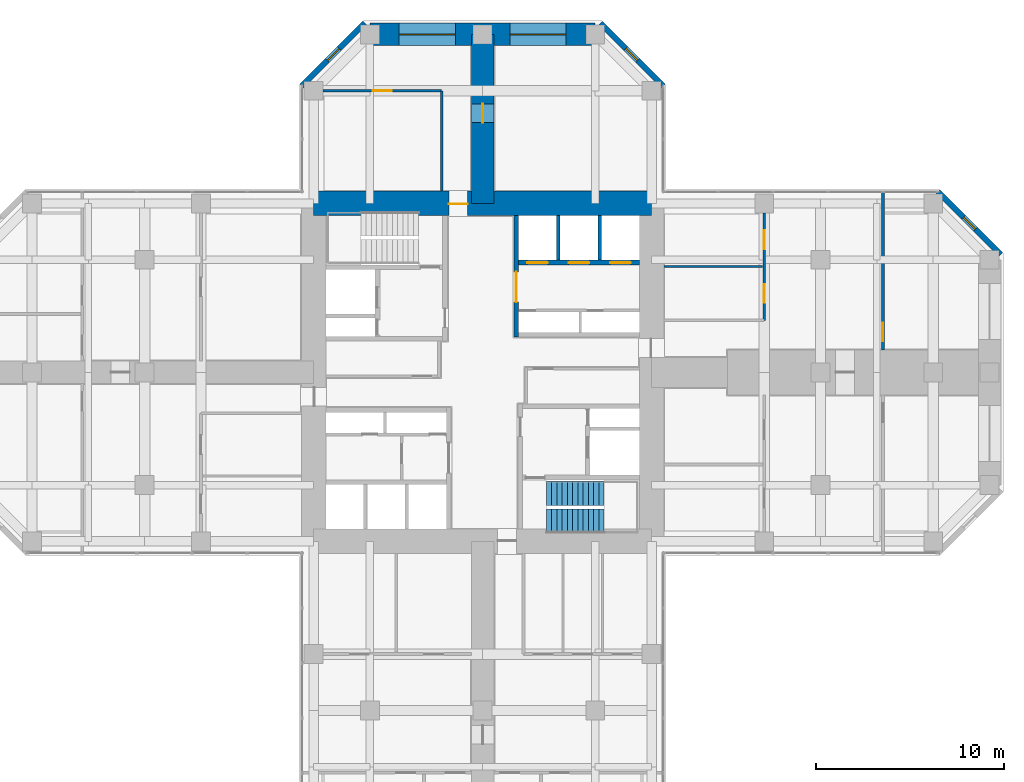
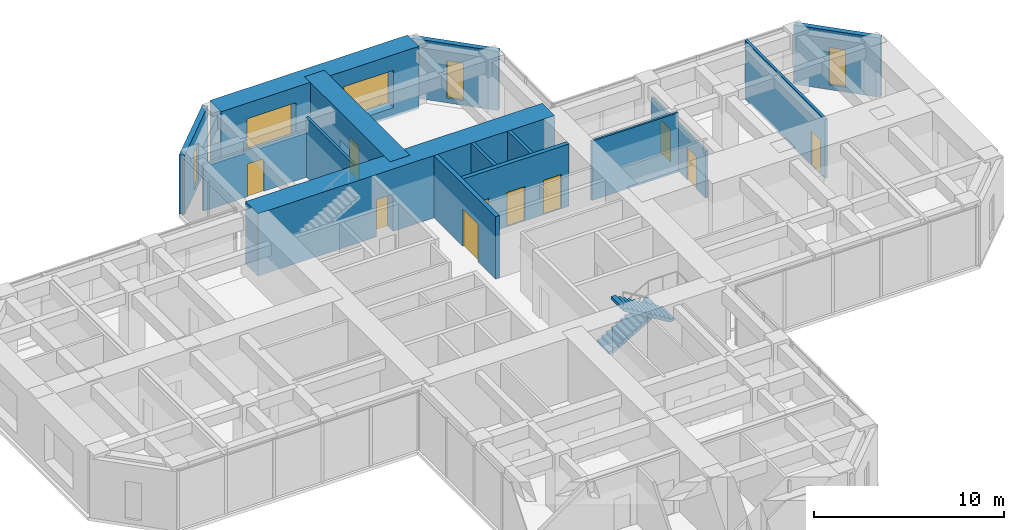
# One storey, part 11 of 13: 15 walls, 10 doors, 5 windows, 2 stair flights, 15 openings, 1 element without a shape of its own.
"""IFC4 building model written with IfcOpenShell, lengths in metres."""

from ifc_helpers import new_model, si_unit, direction, frame, frame_2d, origin, place, context, subcontext, project, spatial, polyline, rectangle, hollow_rectangle, outline, extrude, material, layer, layer_set, constituent, constituent_set, type_object, element, fill, aggregate, save


model = new_model("IFC4")

# Units and contexts
model_context = context("Model", 3, precision=1e-05, world=origin(), true_north=direction((0.0, 1.0)))
body_context = subcontext(model_context, "Body", "Model", "MODEL_VIEW")
ifc_project = project(units=[si_unit("LENGTHUNIT", "METRE"), si_unit("AREAUNIT", "SQUARE_METRE"), si_unit("VOLUMEUNIT", "CUBIC_METRE"), si_unit("PLANEANGLEUNIT", "RADIAN"), si_unit("MASSUNIT", "GRAM", prefix="KILO")], contexts=[model_context])

# Site, building, storey
site_placement = place(None, origin())
site = spatial("IfcSite", under=ifc_project, at=site_placement, CompositionType="ELEMENT")
building_placement = place(site_placement, origin())
building = spatial("IfcBuilding", under=site, at=building_placement, Name="Torre Cruceta", CompositionType="ELEMENT")
storey_placement = place(building_placement, frame((0.0, 0.0, 152.5)))
storey = spatial("IfcBuildingStorey", under=building, at=storey_placement, Name="L37", CompositionType="ELEMENT", Elevation=152.5)

# Wall, opening, door
ifc_material_1 = material(Name="Concrete G60 (fck 60 MPa)", Category="concrete")
ifc_layer_1 = layer(ifc_material_1, 0.25)
ifc_layer_set_1 = layer_set([ifc_layer_1], Name="Concrete G60 (fck 60 MPa)")
wall_type_1 = type_object("IfcWallType", Name="CORE INNER WALL 250 G60", PredefinedType="SHEAR", material=ifc_layer_set_1)
wall_1_placement = place(storey_placement, frame((1.800048828125, 1.875, 0.0), z_axis=(0.0, 0.0, 1.0), x_axis=(0.0, 1.0, 0.0)))
wall_1 = element("IfcWall", 1, at=wall_1_placement, inside=storey, type_object=wall_type_1, Name="CW4 L37 NE-CU", PredefinedType="SHEAR", context=body_context, shape_type="SweptSolid", body=[
    extrude(rectangle(XDim=6.47509765625, YDim=0.25, at=frame_2d((3.237548828125, 0.0))), origin(), (0.0, 0.0, 1.0), 4.0),
])
opening_1_placement = place(wall_1_placement, frame((1.875, 0.0, 0.0)))
opening_1 = element("IfcOpeningElement", 2, at=opening_1_placement, cuts=wall_1, Name="Opening D8", PredefinedType="OPENING", context=body_context, shape_type="SweptSolid", body=[
    extrude(rectangle(XDim=1.60009765625, YDim=2.39990234375, at=frame_2d((0.800048828125, 1.199951171875))), frame((0.0, 0.135009765625, 0.0), z_axis=(0.0, -1.0, 0.0), x_axis=(1.0, 0.0, 0.0)), (0.0, 0.0, 1.0), 0.27001953125),
])
ifc_material_2 = material(Name="Steel DX51D", Category="steel")
ifc_constituent_1 = constituent(ifc_material_2, Name="Leaf and frame")
ifc_material_3 = material(Name="Polyester powder coating", Category="paint")
ifc_constituent_2 = constituent(ifc_material_3, Name="Finish")
ifc_material_4 = material(Name="Fire-resisting glass", Category="glass")
ifc_constituent_3 = constituent(ifc_material_4, Name="Vision panel")
ifc_constituent_set_1 = constituent_set(constituents=[ifc_constituent_1, ifc_constituent_2, ifc_constituent_3], Name="Steel fire door with vision panels")
door_type_1 = type_object("IfcDoorType", Name="LIFT LOBBY DOUBLE DOOR 1600X2400", OperationType="DOUBLE_DOOR_DOUBLE_SWING", PredefinedType="DOOR", material=ifc_constituent_set_1)
door_1_placement = place(opening_1_placement, origin())
door_1 = element("IfcDoor", 3, at=door_1_placement, inside=storey, type_object=door_type_1, Name="D8 L37 NE-LOBBY", OperationType="DOUBLE_DOOR_DOUBLE_SWING", OverallHeight=2.39990234375, OverallWidth=1.60009765625, PredefinedType="DOOR", context=body_context, shape_type="SweptSolid", body=[
    extrude(rectangle(XDim=1.60009765625, YDim=2.39990234375, at=frame_2d((0.800048828125, 1.199951171875))), frame((0.0, 0.02490234375, 0.0), z_axis=(0.0, -1.0, 0.0), x_axis=(1.0, 0.0, 0.0)), (0.0, 0.0, 1.0), 0.050048828125),
])
fill(opening_1, door_1)

# Wall, openings, doors
wall_2_placement = place(storey_placement, frame((1.925048828125, 5.85009765625, 0.0), z_axis=(0.0, 0.0, 1.0), x_axis=(1.0, 0.0, 0.0)))
wall_2 = element("IfcWall", 4, at=wall_2_placement, inside=storey, type_object=wall_type_1, Name="CW4 L37 NE-LV", PredefinedType="SHEAR", context=body_context, shape_type="SweptSolid", body=[
    extrude(rectangle(XDim=6.425048828125, YDim=0.25, at=frame_2d((3.21240234375, 0.0))), origin(), (0.0, 0.0, 1.0), 4.0),
])
opening_2_placement = place(wall_2_placement, frame((0.4541015625, 0.0, 0.0)))
opening_2 = element("IfcOpeningElement", 5, at=opening_2_placement, cuts=wall_2, Name="Opening LD1", PredefinedType="OPENING", context=body_context, shape_type="SweptSolid", body=[
    extrude(rectangle(XDim=1.10009765625, YDim=2.199951171875, at=frame_2d((0.550048828125, 1.10009765625))), frame((0.0, 0.135009765625, 0.0), z_axis=(0.0, -1.0, 0.0), x_axis=(1.0, 0.0, 0.0)), (0.0, 0.0, 1.0), 0.27001953125),
])
opening_3_placement = place(wall_2_placement, frame((2.66259765625, 0.0, 0.0)))
opening_3 = element("IfcOpeningElement", 6, at=opening_3_placement, cuts=wall_2, Name="Opening LD1", PredefinedType="OPENING", context=body_context, shape_type="SweptSolid", body=[
    extrude(rectangle(XDim=1.10009765625, YDim=2.199951171875, at=frame_2d((0.550048828125, 1.10009765625))), frame((0.0, 0.135009765625, 0.0), z_axis=(0.0, -1.0, 0.0), x_axis=(1.0, 0.0, 0.0)), (0.0, 0.0, 1.0), 0.27001953125),
])
opening_4_placement = place(wall_2_placement, frame((4.870849609375, 0.0, 0.0)))
opening_4 = element("IfcOpeningElement", 7, at=opening_4_placement, cuts=wall_2, Name="Opening LD1", PredefinedType="OPENING", context=body_context, shape_type="SweptSolid", body=[
    extrude(rectangle(XDim=1.10009765625, YDim=2.199951171875, at=frame_2d((0.550048828125, 1.10009765625))), frame((0.0, 0.135009765625, 0.0), z_axis=(0.0, -1.0, 0.0), x_axis=(1.0, 0.0, 0.0)), (0.0, 0.0, 1.0), 0.27001953125),
])
ifc_material_5 = material(Name="Stainless steel 1.4401", Category="steel")
door_type_2 = type_object("IfcDoorType", Name="LIFT LANDING DOOR 1100X2200", OperationType="DOUBLE_DOOR_SLIDING", PredefinedType="DOOR", material=ifc_material_5)
door_2_placement = place(opening_2_placement, origin())
door_2 = element("IfcDoor", 8, at=door_2_placement, inside=storey, type_object=door_type_2, Name="Lift landing door P1", OperationType="DOUBLE_DOOR_SLIDING", OverallHeight=2.199951171875, OverallWidth=1.10009765625, PredefinedType="DOOR", context=body_context, shape_type="SweptSolid", body=[
    extrude(rectangle(XDim=1.10009765625, YDim=2.199951171875, at=frame_2d((0.550048828125, 1.10009765625))), frame((0.0, 0.02490234375, 0.0), z_axis=(0.0, -1.0, 0.0), x_axis=(1.0, 0.0, 0.0)), (0.0, 0.0, 1.0), 0.050048828125),
])
fill(opening_2, door_2)
door_3_placement = place(opening_3_placement, origin())
door_3 = element("IfcDoor", 9, at=door_3_placement, inside=storey, type_object=door_type_2, Name="Lift landing door P2", OperationType="DOUBLE_DOOR_SLIDING", OverallHeight=2.199951171875, OverallWidth=1.10009765625, PredefinedType="DOOR", context=body_context, shape_type="SweptSolid", body=[
    extrude(rectangle(XDim=1.10009765625, YDim=2.199951171875, at=frame_2d((0.550048828125, 1.10009765625))), frame((0.0, 0.02490234375, 0.0), z_axis=(0.0, -1.0, 0.0), x_axis=(1.0, 0.0, 0.0)), (0.0, 0.0, 1.0), 0.050048828125),
])
fill(opening_3, door_3)
door_4_placement = place(opening_4_placement, origin())
door_4 = element("IfcDoor", 10, at=door_4_placement, inside=storey, type_object=door_type_2, Name="Lift landing door P3", OperationType="DOUBLE_DOOR_SLIDING", OverallHeight=2.199951171875, OverallWidth=1.10009765625, PredefinedType="DOOR", context=body_context, shape_type="SweptSolid", body=[
    extrude(rectangle(XDim=1.10009765625, YDim=2.199951171875, at=frame_2d((0.550048828125, 1.10009765625))), frame((0.0, 0.02490234375, 0.0), z_axis=(0.0, -1.0, 0.0), x_axis=(1.0, 0.0, 0.0)), (0.0, 0.0, 1.0), 0.050048828125),
])
fill(opening_4, door_4)

# Wall, opening, door
ifc_material_6 = material(Name="Concrete G60 (fck 60 MPa)", Category="concrete")
ifc_layer_2 = layer(ifc_material_6, 1.300048828125)
ifc_layer_set_2 = layer_set([ifc_layer_2], Name="Concrete G60 (fck 60 MPa)")
wall_type_2 = type_object("IfcWallType", Name="CORE WALL 1300 G60", PredefinedType="SHEAR", material=ifc_layer_set_2)
wall_3_placement = place(storey_placement, frame((9.0, 9.0, 0.0), z_axis=(0.0, 0.0, 1.0), x_axis=(-1.0, 0.0, 0.0)))
wall_3 = element("IfcWall", 11, at=wall_3_placement, inside=storey, type_object=wall_type_2, Name="CW1 L37 CW-N", PredefinedType="SHEAR", context=body_context, shape_type="SweptSolid", body=[
    extrude(rectangle(XDim=18.0, YDim=1.300048828125, at=frame_2d((9.0, 0.0))), origin(), (0.0, 0.0, 1.0), 4.0),
])
opening_5_placement = place(wall_3_placement, frame((9.800048828125, 0.0, 0.0)))
opening_5 = element("IfcOpeningElement", 12, at=opening_5_placement, cuts=wall_3, Name="Opening D4", PredefinedType="OPENING", context=body_context, shape_type="SweptSolid", body=[
    extrude(rectangle(XDim=1.0, YDim=2.39990234375, at=frame_2d((0.5, 1.199951171875))), frame((0.0, 0.659912109375, 0.0), z_axis=(0.0, -1.0, 0.0), x_axis=(1.0, 0.0, 0.0)), (0.0, 0.0, 1.0), 1.320068359375),
])
ifc_material_7 = material(Name="Steel DX51D", Category="steel")
ifc_constituent_4 = constituent(ifc_material_7, Name="Leaf and frame")
ifc_material_8 = material(Name="Polyester powder coating", Category="paint")
ifc_constituent_5 = constituent(ifc_material_8, Name="Finish")
ifc_constituent_set_2 = constituent_set(constituents=[ifc_constituent_4, ifc_constituent_5], Name="Steel fire door")
door_type_3 = type_object("IfcDoorType", Name="CORE ARM DOOR 1000X2400", OperationType="SINGLE_SWING_RIGHT", PredefinedType="DOOR", material=ifc_constituent_set_2)
door_5_placement = place(opening_5_placement, frame((1.0, 0.0, 0.0), z_axis=(0.0, 0.0, 1.0), x_axis=(-1.0, 0.0, 0.0)))
door_5 = element("IfcDoor", 13, at=door_5_placement, inside=storey, type_object=door_type_3, Name="D4 L37 CW-N", OperationType="SINGLE_SWING_RIGHT", OverallHeight=2.39990234375, OverallWidth=1.0, PredefinedType="DOOR", context=body_context, shape_type="SweptSolid", body=[
    extrude(rectangle(XDim=1.0, YDim=2.39990234375, at=frame_2d((0.5, 1.199951171875))), frame((0.0, -0.005126953125, 0.0), z_axis=(0.0, -1.0, 0.0), x_axis=(1.0, 0.0, 0.0)), (0.0, 0.0, 1.0), 0.050048828125),
])
fill(opening_5, door_5)

# Wall, opening, window
ifc_material_9 = material(Name="Concrete G30 (fck 30 MPa)", Category="concrete")
ifc_layer_3 = layer(ifc_material_9, 0.300048828125)
ifc_layer_set_3 = layer_set([ifc_layer_3], Name="Concrete G30 (fck 30 MPa)")
wall_type_3 = type_object("IfcWallType", Name="EXPOSED CONCRETE FACADE WALL 300", PredefinedType="SOLIDWALL", material=ifc_layer_set_3)
wall_4_placement = place(storey_placement, frame((27.60009765625, 6.27685546875, 0.0), z_axis=(0.0, 0.0, 1.0), x_axis=(-0.707106781187, 0.707106781187, 0.0)))
wall_4 = element("IfcWall", 14, at=wall_4_placement, inside=storey, type_object=wall_type_3, Name="EW1 facade wall L37 E chamfer 03", PredefinedType="SOLIDWALL", context=body_context, shape_type="SweptSolid", body=[
    extrude(rectangle(XDim=4.72802734375, YDim=0.300048828125, at=frame_2d((2.364013671875, 0.0))), origin(), (0.0, 0.0, 1.0), 3.800048828125),
])
opening_6_placement = place(wall_4_placement, frame((1.9140625, 0.0, 0.300048828125)))
opening_6 = element("IfcOpeningElement", 15, at=opening_6_placement, cuts=wall_4, Name="Opening WN5", PredefinedType="OPENING", context=body_context, shape_type="SweptSolid", body=[
    extrude(rectangle(XDim=0.89990234375, YDim=2.39990234375, at=frame_2d((0.449951171875, 1.199951171875))), frame((0.0, 0.159912109375, 0.0), z_axis=(0.0, -1.0, 0.0), x_axis=(1.0, 0.0, 0.0)), (0.0, 0.0, 1.0), 0.320068359375),
])
ifc_material_10 = material(Name="Aluminium window frame", Category="aluminium")
ifc_constituent_6 = constituent(ifc_material_10, Name="Frame")
ifc_material_11 = material(Name="Laminated insulating glass unit, low-iron clear", Category="glass")
ifc_constituent_7 = constituent(ifc_material_11, Name="Glazing")
ifc_constituent_set_3 = constituent_set(constituents=[ifc_constituent_6, ifc_constituent_7], Name="Aluminium window")
window_type_1 = type_object("IfcWindowType", Name="CHAMFER SLOT WINDOW 900X2400", PartitioningType="SINGLE_PANEL", PredefinedType="WINDOW", material=ifc_constituent_set_3)
window_1_placement = place(opening_6_placement, origin())
window_1 = element("IfcWindow", 16, at=window_1_placement, inside=storey, type_object=window_type_1, Name="WN5 L37 E 1", OverallHeight=2.39990234375, OverallWidth=0.89990234375, PartitioningType="SINGLE_PANEL", PredefinedType="WINDOW", context=body_context, shape_type="SweptSolid", body=[
    extrude(hollow_rectangle(XDim=0.89990234375, YDim=2.39990234375, WallThickness=0.06005859375, at=frame_2d((0.449951171875, 1.199951171875))), frame((0.0, 0.030029296875, 0.0), z_axis=(0.0, -1.0, 0.0), x_axis=(1.0, 0.0, 0.0)), (0.0, 0.0, 1.0), 0.06005859375),
    extrude(rectangle(XDim=0.77880859375, YDim=2.27880859375, at=frame_2d((0.449951171875, 1.199951171875))), frame((0.0, 0.030029296875, 0.0), z_axis=(0.0, -1.0, 0.0), x_axis=(1.0, 0.0, 0.0)), (0.0, 0.0, 1.0), 0.06005859375),
])
fill(opening_6, window_1)

wall_5_placement = place(storey_placement, frame((9.6201171875, 15.2568359375, 0.0), z_axis=(0.0, 0.0, 1.0), x_axis=(-0.707106781187, 0.707106781187, 0.0)))
wall_5 = element("IfcWall", 17, at=wall_5_placement, inside=storey, type_object=wall_type_3, Name="EW1 facade wall L37 N chamfer 06", PredefinedType="SOLIDWALL", context=body_context, shape_type="SweptSolid", body=[
    extrude(rectangle(XDim=4.72802734375, YDim=0.300048828125, at=frame_2d((2.364013671875, 0.0))), origin(), (0.0, 0.0, 1.0), 3.800048828125),
])
opening_7_placement = place(wall_5_placement, frame((1.9140625, 0.0, 0.300048828125)))
opening_7 = element("IfcOpeningElement", 18, at=opening_7_placement, cuts=wall_5, Name="Opening WN5", PredefinedType="OPENING", context=body_context, shape_type="SweptSolid", body=[
    extrude(rectangle(XDim=0.89990234375, YDim=2.39990234375, at=frame_2d((0.449951171875, 1.199951171875))), frame((0.0, 0.159912109375, 0.0), z_axis=(0.0, -1.0, 0.0), x_axis=(1.0, 0.0, 0.0)), (0.0, 0.0, 1.0), 0.320068359375),
])
window_2_placement = place(opening_7_placement, origin())
window_2 = element("IfcWindow", 19, at=window_2_placement, inside=storey, type_object=window_type_1, Name="WN5 L37 N 1", OverallHeight=2.39990234375, OverallWidth=0.89990234375, PartitioningType="SINGLE_PANEL", PredefinedType="WINDOW", context=body_context, shape_type="SweptSolid", body=[
    extrude(hollow_rectangle(XDim=0.89990234375, YDim=2.39990234375, WallThickness=0.06005859375, at=frame_2d((0.449951171875, 1.199951171875))), frame((0.0, 0.030029296875, 0.0), z_axis=(0.0, -1.0, 0.0), x_axis=(1.0, 0.0, 0.0)), (0.0, 0.0, 1.0), 0.06005859375),
    extrude(rectangle(XDim=0.77880859375, YDim=2.27880859375, at=frame_2d((0.449951171875, 1.199951171875))), frame((0.0, 0.030029296875, 0.0), z_axis=(0.0, -1.0, 0.0), x_axis=(1.0, 0.0, 0.0)), (0.0, 0.0, 1.0), 0.06005859375),
])
fill(opening_7, window_2)

wall_6_placement = place(storey_placement, frame((-6.27685546875, 18.60009765625, 0.0), z_axis=(0.0, 0.0, 1.0), x_axis=(-0.707106781187, -0.707106781187, 0.0)))
wall_6 = element("IfcWall", 20, at=wall_6_placement, inside=storey, type_object=wall_type_3, Name="EW1 facade wall L37 N chamfer 08", PredefinedType="SOLIDWALL", context=body_context, shape_type="SweptSolid", body=[
    extrude(rectangle(XDim=4.72802734375, YDim=0.300048828125, at=frame_2d((2.364013671875, 0.0))), origin(), (0.0, 0.0, 1.0), 3.800048828125),
])
opening_8_placement = place(wall_6_placement, frame((1.9140625, 0.0, 0.300048828125)))
opening_8 = element("IfcOpeningElement", 21, at=opening_8_placement, cuts=wall_6, Name="Opening WN5", PredefinedType="OPENING", context=body_context, shape_type="SweptSolid", body=[
    extrude(rectangle(XDim=0.89990234375, YDim=2.39990234375, at=frame_2d((0.449951171875, 1.199951171875))), frame((0.0, 0.159912109375, 0.0), z_axis=(0.0, -1.0, 0.0), x_axis=(1.0, 0.0, 0.0)), (0.0, 0.0, 1.0), 0.320068359375),
])
window_3_placement = place(opening_8_placement, origin())
window_3 = element("IfcWindow", 22, at=window_3_placement, inside=storey, type_object=window_type_1, Name="WN5 L37 N 1", OverallHeight=2.39990234375, OverallWidth=0.89990234375, PartitioningType="SINGLE_PANEL", PredefinedType="WINDOW", context=body_context, shape_type="SweptSolid", body=[
    extrude(hollow_rectangle(XDim=0.89990234375, YDim=2.39990234375, WallThickness=0.06005859375, at=frame_2d((0.449951171875, 1.199951171875))), frame((0.0, 0.030029296875, 0.0), z_axis=(0.0, -1.0, 0.0), x_axis=(1.0, 0.0, 0.0)), (0.0, 0.0, 1.0), 0.06005859375),
    extrude(rectangle(XDim=0.77880859375, YDim=2.27880859375, at=frame_2d((0.449951171875, 1.199951171875))), frame((0.0, 0.030029296875, 0.0), z_axis=(0.0, -1.0, 0.0), x_axis=(1.0, 0.0, 0.0)), (0.0, 0.0, 1.0), 0.06005859375),
])
fill(opening_8, window_3)

# Walls
ifc_material_12 = material(Name="Concrete G35 (fck 35 MPa)", Category="concrete")
ifc_layer_4 = layer(ifc_material_12, 0.199951171875)
ifc_layer_set_4 = layer_set([ifc_layer_4], Name="Concrete G35 (fck 35 MPa)")
wall_type_4 = type_object("IfcWallType", Name="LIFT SHAFT WALL 200", PredefinedType="PARTITIONING", material=ifc_layer_set_4)
for number, where, z_axis, x_axis, name in (
    (23, (4.033447265625, 5.97509765625, 0.0), (0.0, 0.0, 1.0), (0.0, 1.0, 0.0), "SW1 L37 NE-LS1"),
    (24, (6.24169921875, 5.97509765625, 0.0), (0.0, 0.0, 1.0), (0.0, 1.0, 0.0), "SW1 L37 NE-LS2"),
):
    element("IfcWall", number, at=place(storey_placement, frame(where, z_axis=z_axis, x_axis=x_axis)), inside=storey, type_object=wall_type_4, Name=name, PredefinedType="PARTITIONING", context=body_context, shape_type="SweptSolid", body=[
        extrude(rectangle(XDim=2.375, YDim=0.199951171875, at=frame_2d((1.1875, 0.0))), origin(), (0.0, 0.0, 1.0), 4.0),
    ])

# Wall, openings, windows
ifc_material_13 = material(Name="Concrete G60 (fck 60 MPa)", Category="concrete")
ifc_layer_5 = layer(ifc_material_13, 1.199951171875)
ifc_layer_set_5 = layer_set([ifc_layer_5], Name="Concrete G60 (fck 60 MPa)")
wall_type_5 = type_object("IfcWallType", Name="NOSE WALL 1200 G60", PredefinedType="SHEAR", material=ifc_layer_set_5)
wall_7_placement = place(storey_placement, frame((6.0, 18.0, 0.0), z_axis=(0.0, 0.0, 1.0), x_axis=(-1.0, 0.0, 0.0)))
wall_7 = element("IfcWall", 25, at=wall_7_placement, inside=storey, type_object=wall_type_5, Name="NW1 nose wall L37 N", PredefinedType="SHEAR", context=body_context, shape_type="SweptSolid", body=[
    extrude(rectangle(XDim=12.0, YDim=1.199951171875, at=frame_2d((6.0, 0.0))), origin(), (0.0, 0.0, 1.0), 4.0),
])
opening_9_placement = place(wall_7_placement, frame((1.550048828125, 0.0, 0.60009765625)))
opening_9 = element("IfcOpeningElement", 26, at=opening_9_placement, cuts=wall_7, Name="Opening WN6", PredefinedType="OPENING", context=body_context, shape_type="SweptSolid", body=[
    extrude(rectangle(XDim=3.0, YDim=2.39990234375, at=frame_2d((1.5, 1.199951171875))), frame((0.0, 0.60986328125, 0.0), z_axis=(0.0, -1.0, 0.0), x_axis=(1.0, 0.0, 0.0)), (0.0, 0.0, 1.0), 1.219970703125),
])
opening_10_placement = place(wall_7_placement, frame((7.449951171875, 0.0, 0.60009765625)))
opening_10 = element("IfcOpeningElement", 27, at=opening_10_placement, cuts=wall_7, Name="Opening WN6", PredefinedType="OPENING", context=body_context, shape_type="SweptSolid", body=[
    extrude(rectangle(XDim=3.0, YDim=2.39990234375, at=frame_2d((1.5, 1.199951171875))), frame((0.0, 0.60986328125, 0.0), z_axis=(0.0, -1.0, 0.0), x_axis=(1.0, 0.0, 0.0)), (0.0, 0.0, 1.0), 1.219970703125),
])
ifc_material_14 = material(Name="Aluminium window frame", Category="aluminium")
ifc_constituent_8 = constituent(ifc_material_14, Name="Frame")
ifc_material_15 = material(Name="Laminated insulating glass unit, low-iron clear", Category="glass")
ifc_constituent_9 = constituent(ifc_material_15, Name="Glazing")
ifc_constituent_set_4 = constituent_set(constituents=[ifc_constituent_8, ifc_constituent_9], Name="Aluminium window")
window_type_2 = type_object("IfcWindowType", Name="NOSE WALL WINDOW 3000X2400", PartitioningType="SINGLE_PANEL", PredefinedType="WINDOW", material=ifc_constituent_set_4)
window_4_placement = place(opening_9_placement, origin())
window_4 = element("IfcWindow", 28, at=window_4_placement, inside=storey, type_object=window_type_2, Name="WN6 L37 N 1", OverallHeight=2.39990234375, OverallWidth=3.0, PartitioningType="SINGLE_PANEL", PredefinedType="WINDOW", context=body_context, shape_type="SweptSolid", body=[
    extrude(hollow_rectangle(XDim=3.0, YDim=2.39990234375, WallThickness=0.06005859375, at=frame_2d((1.5, 1.199951171875))), frame((0.0, 0.030029296875, 0.0), z_axis=(0.0, -1.0, 0.0), x_axis=(1.0, 0.0, 0.0)), (0.0, 0.0, 1.0), 0.06005859375),
    extrude(rectangle(XDim=2.87890625, YDim=2.27880859375, at=frame_2d((1.5, 1.199951171875))), frame((0.0, 0.030029296875, 0.0), z_axis=(0.0, -1.0, 0.0), x_axis=(1.0, 0.0, 0.0)), (0.0, 0.0, 1.0), 0.06005859375),
])
fill(opening_9, window_4)
window_5_placement = place(opening_10_placement, origin())
window_5 = element("IfcWindow", 29, at=window_5_placement, inside=storey, type_object=window_type_2, Name="WN6 L37 N 2", OverallHeight=2.39990234375, OverallWidth=3.0, PartitioningType="SINGLE_PANEL", PredefinedType="WINDOW", context=body_context, shape_type="SweptSolid", body=[
    extrude(hollow_rectangle(XDim=3.0, YDim=2.39990234375, WallThickness=0.06005859375, at=frame_2d((1.5, 1.199951171875))), frame((0.0, 0.030029296875, 0.0), z_axis=(0.0, -1.0, 0.0), x_axis=(1.0, 0.0, 0.0)), (0.0, 0.0, 1.0), 0.06005859375),
    extrude(rectangle(XDim=2.87890625, YDim=2.27880859375, at=frame_2d((1.5, 1.199951171875))), frame((0.0, 0.030029296875, 0.0), z_axis=(0.0, -1.0, 0.0), x_axis=(1.0, 0.0, 0.0)), (0.0, 0.0, 1.0), 0.06005859375),
])
fill(opening_10, window_5)

# Wall, opening, door
ifc_material_16 = material(Name="Plasterboard on steel studs", Category="steel")
ifc_layer_6 = layer(ifc_material_16, 0.14990234375)
ifc_layer_set_6 = layer_set([ifc_layer_6], Name="Plasterboard on steel studs")
wall_type_6 = type_object("IfcWallType", Name="PARTITION 150", PredefinedType="PARTITIONING", material=ifc_layer_set_6)
wall_8_placement = place(storey_placement, frame((-2.175048828125, 15.0, 0.0), z_axis=(0.0, 0.0, 1.0), x_axis=(-1.0, 0.0, 0.0)))
wall_8 = element("IfcWall", 30, at=wall_8_placement, inside=storey, type_object=wall_type_6, Name="PT1 L37-N-BFL", PredefinedType="PARTITIONING", context=body_context, shape_type="SweptSolid", body=[
    extrude(rectangle(XDim=6.324951171875, YDim=0.14990234375, at=frame_2d((3.16259765625, 0.0))), origin(), (0.0, 0.0, 1.0), 3.0),
])
opening_11_placement = place(wall_8_placement, frame((2.66259765625, 0.0, 0.0)))
opening_11 = element("IfcOpeningElement", 31, at=opening_11_placement, cuts=wall_8, Name="Opening D3", PredefinedType="OPENING", context=body_context, shape_type="SweptSolid", body=[
    extrude(rectangle(XDim=1.0, YDim=2.10009765625, at=frame_2d((0.5, 1.050048828125))), frame((0.0, 0.0849609375, 0.0), z_axis=(0.0, -1.0, 0.0), x_axis=(1.0, 0.0, 0.0)), (0.0, 0.0, 1.0), 0.169921875),
])
ifc_material_17 = material(Name="Steel DX51D", Category="steel")
ifc_constituent_10 = constituent(ifc_material_17, Name="Leaf and frame")
ifc_material_18 = material(Name="Polyester powder coating", Category="paint")
ifc_constituent_11 = constituent(ifc_material_18, Name="Finish")
ifc_constituent_set_5 = constituent_set(constituents=[ifc_constituent_10, ifc_constituent_11], Name="Steel fire door")
door_type_4 = type_object("IfcDoorType", Name="FIRE DOOR 1000X2100", OperationType="SINGLE_SWING_LEFT", PredefinedType="DOOR", material=ifc_constituent_set_5)
door_6_placement = place(opening_11_placement, frame((1.0, 0.0, 0.0), z_axis=(0.0, 0.0, 1.0), x_axis=(-1.0, 0.0, 0.0)))
door_6 = element("IfcDoor", 32, at=door_6_placement, inside=storey, type_object=door_type_4, Name="D3 L37-N-BFL-D1", OperationType="SINGLE_SWING_LEFT", OverallHeight=2.10009765625, OverallWidth=1.0, PredefinedType="DOOR", context=body_context, shape_type="SweptSolid", body=[
    extrude(rectangle(XDim=1.0, YDim=2.10009765625, at=frame_2d((0.5, 1.050048828125))), frame((0.0, 0.025146484375, 0.0), z_axis=(0.0, -1.0, 0.0), x_axis=(1.0, 0.0, 0.0)), (0.0, 0.0, 1.0), 0.050048828125),
])
fill(opening_11, door_6)

# Wall
wall_9_placement = place(storey_placement, frame((-2.175048828125, 9.64990234375, 0.0), z_axis=(0.0, 0.0, 1.0), x_axis=(0.0, 1.0, 0.0)))
element("IfcWall", 33, at=wall_9_placement, inside=storey, type_object=wall_type_6, Name="PT1 L37-N-BSL", PredefinedType="PARTITIONING", context=body_context, shape_type="SweptSolid", body=[
    extrude(rectangle(XDim=5.35009765625, YDim=0.14990234375, at=frame_2d((2.675048828125, 0.0))), origin(), (0.0, 0.0, 1.0), 3.800048828125),
])

# Wall, openings, doors
wall_10_placement = place(storey_placement, frame((15.0, 2.77490234375, 0.0), z_axis=(0.0, 0.0, 1.0), x_axis=(0.0, 1.0, 0.0)))
wall_10 = element("IfcWall", 34, at=wall_10_placement, inside=storey, type_object=wall_type_6, Name="PT1 L37-E-BFL", PredefinedType="PARTITIONING", context=body_context, shape_type="SweptSolid", body=[
    extrude(rectangle(XDim=5.72509765625, YDim=0.14990234375, at=frame_2d((2.862548828125, 0.0))), origin(), (0.0, 0.0, 1.0), 3.0),
])
opening_12_placement = place(wall_10_placement, frame((0.931396484375, 0.0, 0.0)))
opening_12 = element("IfcOpeningElement", 35, at=opening_12_placement, cuts=wall_10, Name="Opening D3", PredefinedType="OPENING", context=body_context, shape_type="SweptSolid", body=[
    extrude(rectangle(XDim=1.0, YDim=2.10009765625, at=frame_2d((0.5, 1.050048828125))), frame((0.0, 0.0849609375, 0.0), z_axis=(0.0, -1.0, 0.0), x_axis=(1.0, 0.0, 0.0)), (0.0, 0.0, 1.0), 0.169921875),
])
opening_13_placement = place(wall_10_placement, frame((3.793701171875, 0.0, 0.0)))
opening_13 = element("IfcOpeningElement", 36, at=opening_13_placement, cuts=wall_10, Name="Opening D3", PredefinedType="OPENING", context=body_context, shape_type="SweptSolid", body=[
    extrude(rectangle(XDim=1.0, YDim=2.10009765625, at=frame_2d((0.5, 1.050048828125))), frame((0.0, 0.0849609375, 0.0), z_axis=(0.0, -1.0, 0.0), x_axis=(1.0, 0.0, 0.0)), (0.0, 0.0, 1.0), 0.169921875),
])
door_7_placement = place(opening_12_placement, origin())
door_7 = element("IfcDoor", 37, at=door_7_placement, inside=storey, type_object=door_type_4, Name="D3 L37-E-BFL-D1", OperationType="SINGLE_SWING_LEFT", OverallHeight=2.10009765625, OverallWidth=1.0, PredefinedType="DOOR", context=body_context, shape_type="SweptSolid", body=[
    extrude(rectangle(XDim=1.0, YDim=2.10009765625, at=frame_2d((0.5, 1.050048828125))), frame((0.0, 0.02490234375, 0.0), z_axis=(0.0, -1.0, 0.0), x_axis=(1.0, 0.0, 0.0)), (0.0, 0.0, 1.0), 0.050048828125),
])
fill(opening_12, door_7)
door_8_placement = place(opening_13_placement, origin())
door_8 = element("IfcDoor", 38, at=door_8_placement, inside=storey, type_object=door_type_4, Name="D3 L37-E-BFL-D2", OperationType="SINGLE_SWING_LEFT", OverallHeight=2.10009765625, OverallWidth=1.0, PredefinedType="DOOR", context=body_context, shape_type="SweptSolid", body=[
    extrude(rectangle(XDim=1.0, YDim=2.10009765625, at=frame_2d((0.5, 1.050048828125))), frame((0.0, 0.02490234375, 0.0), z_axis=(0.0, -1.0, 0.0), x_axis=(1.0, 0.0, 0.0)), (0.0, 0.0, 1.0), 0.050048828125),
])
fill(opening_13, door_8)

# Wall, opening, door
wall_11_placement = place(storey_placement, frame((21.320068359375, 1.199951171875, 0.0), z_axis=(0.0, 0.0, 1.0), x_axis=(0.0, 1.0, 0.0)))
wall_11 = element("IfcWall", 39, at=wall_11_placement, inside=storey, type_object=wall_type_6, Name="PT1 L37-E-TWL", PredefinedType="PARTITIONING", context=body_context, shape_type="SweptSolid", body=[
    extrude(rectangle(XDim=8.380126953125, YDim=0.14990234375, at=frame_2d((4.18994140625, 0.0))), origin(), (0.0, 0.0, 1.0), 3.800048828125),
])
opening_14_placement = place(wall_11_placement, frame((0.449951171875, 0.0, 0.0)))
opening_14 = element("IfcOpeningElement", 40, at=opening_14_placement, cuts=wall_11, Name="Opening D14", PredefinedType="OPENING", context=body_context, shape_type="SweptSolid", body=[
    extrude(rectangle(XDim=1.0, YDim=2.199951171875, at=frame_2d((0.5, 1.10009765625))), frame((0.0, 0.0849609375, 0.0), z_axis=(0.0, -1.0, 0.0), x_axis=(1.0, 0.0, 0.0)), (0.0, 0.0, 1.0), 0.169921875),
])
ifc_material_19 = material(Name="Steel DX51D", Category="steel")
ifc_constituent_12 = constituent(ifc_material_19, Name="Leaf and frame")
ifc_material_20 = material(Name="Polyester powder coating", Category="paint")
ifc_constituent_13 = constituent(ifc_material_20, Name="Finish")
ifc_material_21 = material(Name="Fire-resisting glass", Category="glass")
ifc_constituent_14 = constituent(ifc_material_21, Name="Vision panel")
ifc_constituent_set_6 = constituent_set(constituents=[ifc_constituent_12, ifc_constituent_13, ifc_constituent_14], Name="Steel fire door with vision panel")
door_type_5 = type_object("IfcDoorType", Name="FIRE DOOR VISION PANEL 1000X2200", OperationType="SINGLE_SWING_RIGHT", PredefinedType="DOOR", material=ifc_constituent_set_6)
door_9_placement = place(opening_14_placement, frame((1.0, 0.0, 0.0), z_axis=(0.0, 0.0, 1.0), x_axis=(-1.0, 0.0, 0.0)))
door_9 = element("IfcDoor", 41, at=door_9_placement, inside=storey, type_object=door_type_5, Name="D14 L37-E-TWL-D1", OperationType="SINGLE_SWING_RIGHT", OverallHeight=2.199951171875, OverallWidth=1.0, PredefinedType="DOOR", context=body_context, shape_type="SweptSolid", body=[
    extrude(rectangle(XDim=1.0, YDim=2.199951171875, at=frame_2d((0.5, 1.10009765625))), frame((0.0, 0.025146484375, 0.0), z_axis=(0.0, -1.0, 0.0), x_axis=(1.0, 0.0, 0.0)), (0.0, 0.0, 1.0), 0.050048828125),
])
fill(opening_14, door_9)

ifc_material_22 = material(Name="Concrete G60 (fck 60 MPa)", Category="concrete")
ifc_layer_7 = layer(ifc_material_22, 1.199951171875)
ifc_layer_set_7 = layer_set([ifc_layer_7], Name="Concrete G60 (fck 60 MPa)")
wall_type_7 = type_object("IfcWallType", Name="SPINE WALL 1200 G60", PredefinedType="SHEAR", material=ifc_layer_set_7)
wall_12_placement = place(storey_placement, frame((0.0, 9.0, 0.0), z_axis=(0.0, 0.0, 1.0), x_axis=(0.0, 1.0, 0.0)))
wall_12 = element("IfcWall", 42, at=wall_12_placement, inside=storey, type_object=wall_type_7, Name="SW3 spine wall L37 N", PredefinedType="SHEAR", context=body_context, shape_type="SweptSolid", body=[
    extrude(rectangle(XDim=9.0, YDim=1.199951171875, at=frame_2d((4.5, 0.0))), origin(), (0.0, 0.0, 1.0), 4.0),
])
opening_15_placement = place(wall_12_placement, frame((4.300048828125, 0.0, 0.0)))
opening_15 = element("IfcOpeningElement", 43, at=opening_15_placement, cuts=wall_12, Name="Opening D14", PredefinedType="OPENING", context=body_context, shape_type="SweptSolid", body=[
    extrude(rectangle(XDim=1.0, YDim=2.199951171875, at=frame_2d((0.5, 1.10009765625))), frame((0.0, 0.60986328125, 0.0), z_axis=(0.0, -1.0, 0.0), x_axis=(1.0, 0.0, 0.0)), (0.0, 0.0, 1.0), 1.219970703125),
])
door_10_placement = place(opening_15_placement, origin())
door_10 = element("IfcDoor", 44, at=door_10_placement, inside=storey, type_object=door_type_5, Name="D14 L37-N-SP1", OperationType="SINGLE_SWING_RIGHT", OverallHeight=2.199951171875, OverallWidth=1.0, PredefinedType="DOOR", context=body_context, shape_type="SweptSolid", body=[
    extrude(rectangle(XDim=1.0, YDim=2.199951171875, at=frame_2d((0.5, 1.10009765625))), frame((0.0, 0.02490234375, 0.0), z_axis=(0.0, -1.0, 0.0), x_axis=(1.0, 0.0, 0.0)), (0.0, 0.0, 1.0), 0.050048828125),
])
fill(opening_15, door_10)

# Wall
ifc_material_23 = material(Name="Plasterboard on steel studs", Category="steel")
ifc_layer_8 = layer(ifc_material_23, 0.1201171875)
ifc_layer_set_8 = layer_set([ifc_layer_8], Name="Plasterboard on steel studs")
wall_type_8 = type_object("IfcWallType", Name="WC PARTITION 120", PredefinedType="PLUMBINGWALL", material=ifc_layer_set_8)
wall_13_placement = place(storey_placement, frame((9.64990234375, 5.637451171875, 0.0), z_axis=(0.0, 0.0, 1.0), x_axis=(1.0, 0.0, 0.0)))
element("IfcWall", 45, at=wall_13_placement, inside=storey, type_object=wall_type_8, Name="PT5 L37-E-BDL1", PredefinedType="PLUMBINGWALL", context=body_context, shape_type="SweptSolid", body=[
    extrude(rectangle(XDim=5.25, YDim=0.1201171875, at=frame_2d((2.625, 0.0))), origin(), (0.0, 0.0, 1.0), 3.800048828125),
])

# Stair, stair flights
ifc_material_24 = material(Name="Concrete G30 (fck 30 MPa)", Category="concrete")
stair_type = type_object("IfcStairType", Name="STAIR HALF-TURN 1300", PredefinedType="HALF_TURN_STAIR", material=ifc_material_24)
stair_placement = place(storey_placement, origin())
stair = element("IfcStair", 46, at=stair_placement, inside=storey, type_object=stair_type, Name="Stair ST2 L37", PredefinedType="HALF_TURN_STAIR")
ifc_material_25 = material(Name="Concrete G30 (fck 30 MPa)", Category="concrete")
stair_flight_type = type_object("IfcStairFlightType", Name="STAIR FLIGHT 1300", PredefinedType="STRAIGHT", material=ifc_material_25)
stair_flight_1_placement = place(storey_placement, frame((3.39990234375, -6.425048828125, 0.0), z_axis=(0.0, 0.0, 1.0), x_axis=(1.0, 0.0, 0.0)))
stair_flight_1 = element("IfcStairFlight", 47, at=stair_flight_1_placement, type_object=stair_flight_type, Name="ST2 flight 1", NumberOfRisers=12, NumberOfTreads=11, PredefinedType="STRAIGHT", RiserHeight=0.166666667, TreadLength=0.28, context=body_context, shape_type="SweptSolid", body=[
    extrude(outline(polyline([(0.0, 0.0), (0.0, 0.166748046875), (0.280029296875, 0.166748046875), (0.280029296875, 0.333251953125), (0.56005859375, 0.333251953125), (0.56005859375, 0.5), (0.840087890625, 0.5), (0.840087890625, 0.666748046875), (1.1201171875, 0.666748046875), (1.1201171875, 0.833251953125), (1.39990234375, 0.833251953125), (1.39990234375, 1.0), (1.679931640625, 1.0), (1.679931640625, 1.166748046875), (1.9599609375, 1.166748046875), (1.9599609375, 1.333251953125), (2.239990234375, 1.333251953125), (2.239990234375, 1.5), (2.52001953125, 1.5), (2.52001953125, 1.666748046875), (2.800048828125, 1.666748046875), (2.800048828125, 1.833251953125), (3.080078125, 1.833251953125), (3.080078125, 2.0), (3.080078125, 1.658935546875), (0.29296875, 0.0), (0.0, 0.0)])), frame((0.0, 0.64990234375, 0.0), z_axis=(0.0, -1.0, 0.0), x_axis=(1.0, 0.0, 0.0)), (0.0, 0.0, 1.0), 1.300048828125),
])
stair_flight_2_placement = place(storey_placement, frame((6.47998046875, -7.925048828125, 2.0), z_axis=(0.0, 0.0, 1.0), x_axis=(-1.0, 0.0, 0.0)))
stair_flight_2 = element("IfcStairFlight", 48, at=stair_flight_2_placement, type_object=stair_flight_type, Name="ST2 flight 2", NumberOfRisers=12, NumberOfTreads=11, PredefinedType="STRAIGHT", RiserHeight=0.166666667, TreadLength=0.28, context=body_context, shape_type="SweptSolid", body=[
    extrude(outline(polyline([(0.0, 0.0), (0.0, 0.166748046875), (0.280029296875, 0.166748046875), (0.280029296875, 0.333251953125), (0.56005859375, 0.333251953125), (0.56005859375, 0.5), (0.840087890625, 0.5), (0.840087890625, 0.666748046875), (1.1201171875, 0.666748046875), (1.1201171875, 0.833251953125), (1.39990234375, 0.833251953125), (1.39990234375, 1.0), (1.679931640625, 1.0), (1.679931640625, 1.166748046875), (1.9599609375, 1.166748046875), (1.9599609375, 1.333251953125), (2.239990234375, 1.333251953125), (2.239990234375, 1.5), (2.52001953125, 1.5), (2.52001953125, 1.666748046875), (2.800048828125, 1.666748046875), (2.800048828125, 1.833251953125), (3.080078125, 1.833251953125), (3.080078125, 2.0), (3.080078125, 1.658935546875), (0.29296875, 0.0), (0.0, 0.0)])), frame((0.0, 0.64990234375, 0.0), z_axis=(0.0, -1.0, 0.0), x_axis=(1.0, 0.0, 0.0)), (0.0, 0.0, 1.0), 1.300048828125),
])
aggregate(stair, [stair_flight_1, stair_flight_2])

save(model, "model.ifc")
